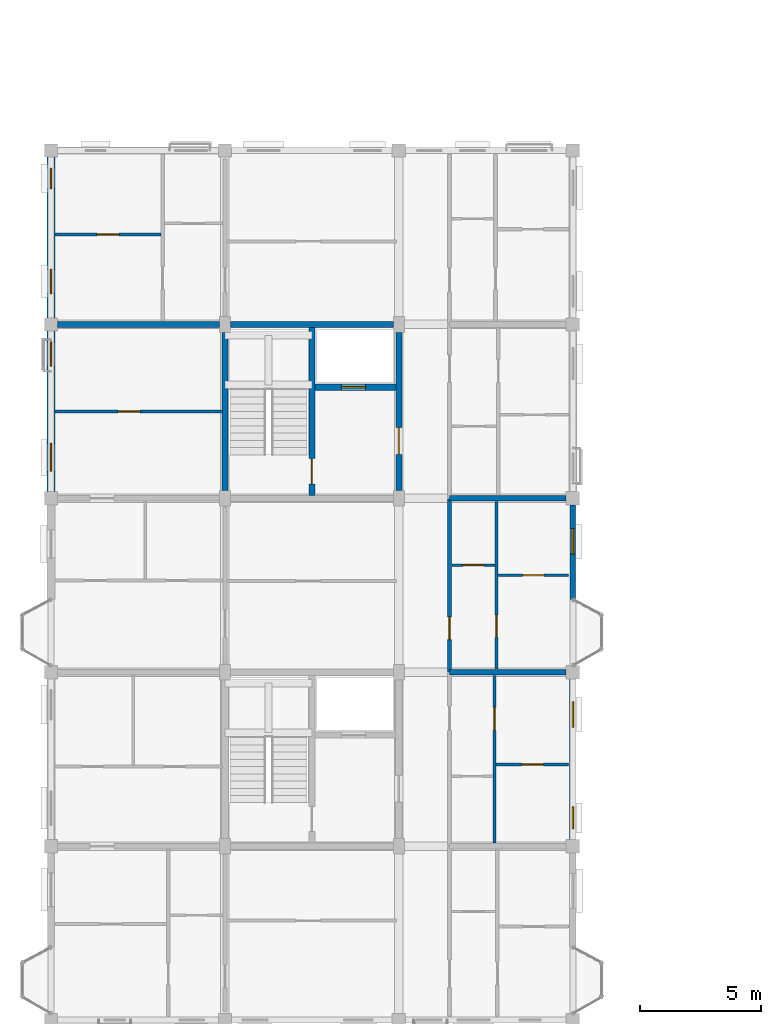
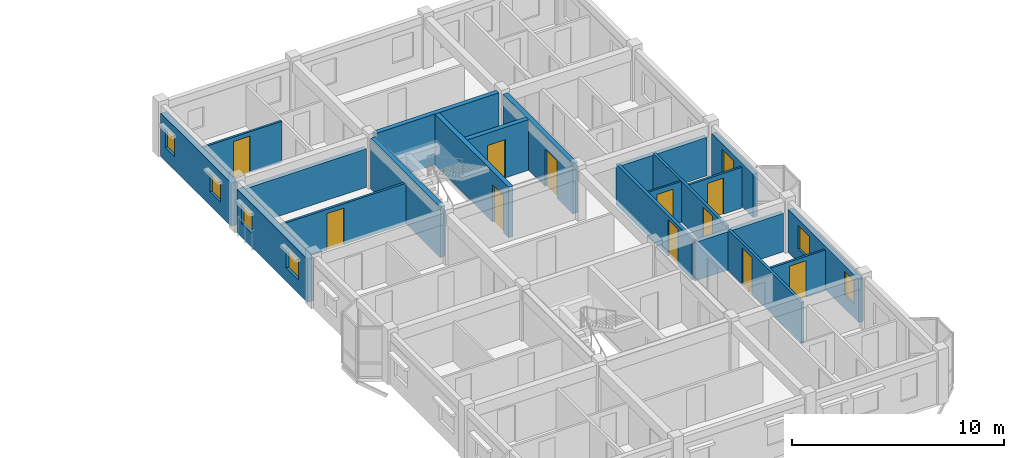
# One storey, part 57 of 79: 20 walls, 11 doors, 7 windows, 18 openings.
"""IFC4 building model written with IfcOpenShell, lengths in metres."""

from ifc_helpers import new_model, si_unit, direction, frame, frame_2d, origin, place, context, subcontext, project, spatial, rectangle, extrude, material, layer, layer_set, type_object, element, fill, save


model = new_model("IFC4")

# Units and contexts
model_context = context("Model", 3, precision=1e-05, world=origin(), true_north=direction((0.0, 1.0)))
body_context = subcontext(model_context, "Body", "Model", "MODEL_VIEW")
ifc_project = project(units=[si_unit("LENGTHUNIT", "METRE"), si_unit("AREAUNIT", "SQUARE_METRE"), si_unit("VOLUMEUNIT", "CUBIC_METRE"), si_unit("PLANEANGLEUNIT", "RADIAN"), si_unit("MASSUNIT", "GRAM", prefix="KILO"), si_unit("THERMODYNAMICTEMPERATUREUNIT", "KELVIN"), si_unit("POWERUNIT", "WATT")], contexts=[model_context])

# Site, building, storey
site_placement = place(None, origin())
site = spatial("IfcSite", under=ifc_project, at=site_placement, CompositionType="ELEMENT")
building_placement = place(site_placement, origin())
building = spatial("IfcBuilding", under=site, at=building_placement, Name="Tavuni Mirador Residences", CompositionType="ELEMENT")
storey_placement = place(building_placement, frame((0.0, 0.0, 13.949951171875)))
storey = spatial("IfcBuildingStorey", under=building, at=storey_placement, Name="L04", CompositionType="ELEMENT", Elevation=13.949951171875)

# Walls
ifc_material_1 = material(Name="Precast concrete C40/50", Category="concrete")
ifc_layer_1 = layer(ifc_material_1, 0.25, Name="Precast concrete C40/50", Category="concrete")
ifc_layer_set_1 = layer_set([ifc_layer_1], Name="Precast concrete C40/50")
wall_type_1 = type_object("IfcWallType", Name="WT-COR250", PredefinedType="SHEAR", material=ifc_layer_set_1)
wall_1_placement = place(storey_placement, frame((10.800048828125, 86.72509765625, 0.0), z_axis=(0.0, 0.0, 1.0), x_axis=(0.0, 1.0, 0.0)))
element("IfcWall", 1, at=wall_1_placement, inside=storey, type_object=wall_type_1, Name="CWALL-C4-L04-W", PredefinedType="SHEAR", context=body_context, shape_type="SweptSolid", body=[
    extrude(rectangle(XDim=6.5498046875, YDim=0.25, at=frame_2d((3.27490234375, 0.0))), origin(), (0.0, 0.0, 1.0), 2.91015625),
])
wall_2_placement = place(storey_placement, frame((11.02490234375, 93.60009765625, 0.0), z_axis=(0.0, 0.0, 1.0), x_axis=(1.0, 0.0, 0.0)))
element("IfcWall", 2, at=wall_2_placement, inside=storey, type_object=wall_type_1, Name="CWALL-C4-L04-N", PredefinedType="SHEAR", context=body_context, shape_type="SweptSolid", body=[
    extrude(rectangle(XDim=6.75, YDim=0.25, at=frame_2d((3.375, 0.0))), origin(), (0.0, 0.0, 1.0), 2.91015625),
])

# Wall, opening, door
wall_3_placement = place(storey_placement, frame((18.0, 86.72509765625, 0.0), z_axis=(0.0, 0.0, 1.0), x_axis=(0.0, 1.0, 0.0)))
wall_3 = element("IfcWall", 3, at=wall_3_placement, inside=storey, type_object=wall_type_1, Name="CWALL-C4-L04-E", PredefinedType="SHEAR", context=body_context, shape_type="SweptSolid", body=[
    extrude(rectangle(XDim=6.5498046875, YDim=0.25, at=frame_2d((3.27490234375, 0.0))), origin(), (0.0, 0.0, 1.0), 2.91015625),
])
opening_1_placement = place(wall_3_placement, frame((1.5, 0.0, 0.0)))
opening_1 = element("IfcOpeningElement", 4, at=opening_1_placement, cuts=wall_3, Name="Opening D-02", PredefinedType="OPENING", context=body_context, shape_type="SweptSolid", body=[
    extrude(rectangle(XDim=1.10009765625, YDim=2.14990234375, at=frame_2d((0.550048828125, 1.074951171875))), frame((0.0, 0.135009765625, 0.0), z_axis=(0.0, -1.0, 0.0), x_axis=(1.0, 0.0, 0.0)), (0.0, 0.0, 1.0), 0.27001953125),
])
ifc_material_2 = material(Name="Solid core iroko timber", Category="wood")
door_type_1 = type_object("IfcDoorType", Name="DT-LOB1100", OperationType="NOTDEFINED", PredefinedType="DOOR", material=ifc_material_2)
door_1_placement = place(opening_1_placement, frame((1.10009765625, 0.0, 0.0), z_axis=(0.0, 0.0, 1.0), x_axis=(-1.0, 0.0, 0.0)))
door_1 = element("IfcDoor", 5, at=door_1_placement, inside=storey, type_object=door_type_1, Name="DR-2156", OperationType="SINGLE_SWING_LEFT", OverallHeight=2.14990234375, OverallWidth=1.10009765625, PredefinedType="DOOR", context=body_context, shape_type="SweptSolid", body=[
    extrude(rectangle(XDim=1.10009765625, YDim=2.14990234375, at=frame_2d((0.550048828125, 1.074951171875))), frame((0.0, 0.02490234375, 0.0), z_axis=(0.0, -1.0, 0.0), x_axis=(1.0, 0.0, 0.0)), (0.0, 0.0, 1.0), 0.050048828125),
])
fill(opening_1, door_1)

wall_4_placement = place(storey_placement, frame((14.39990234375, 86.52490234375, 0.0), z_axis=(0.0, 0.0, 1.0), x_axis=(0.0, 1.0, 0.0)))
wall_4 = element("IfcWall", 6, at=wall_4_placement, inside=storey, type_object=wall_type_1, Name="CWALL-C4-L04-MID", PredefinedType="SHEAR", context=body_context, shape_type="SweptSolid", body=[
    extrude(rectangle(XDim=6.9501953125, YDim=0.25, at=frame_2d((3.47509765625, 0.0))), origin(), (0.0, 0.0, 1.0), 2.91015625),
])
opening_2_placement = place(wall_4_placement, frame((0.47509765625, 0.0, 0.0)))
opening_2 = element("IfcOpeningElement", 7, at=opening_2_placement, cuts=wall_4, Name="Opening D-01", PredefinedType="OPENING", context=body_context, shape_type="SweptSolid", body=[
    extrude(rectangle(XDim=1.050048828125, YDim=2.14990234375, at=frame_2d((0.52490234375, 1.074951171875))), frame((0.0, 0.135009765625, 0.0), z_axis=(0.0, -1.0, 0.0), x_axis=(1.0, 0.0, 0.0)), (0.0, 0.0, 1.0), 0.27001953125),
])
door_type_2 = type_object("IfcDoorType", Name="DT-ST1050", OperationType="NOTDEFINED", PredefinedType="DOOR", material=ifc_material_2)
door_2_placement = place(opening_2_placement, origin())
door_2 = element("IfcDoor", 8, at=door_2_placement, inside=storey, type_object=door_type_2, Name="DR-2157", OperationType="SINGLE_SWING_LEFT", OverallHeight=2.14990234375, OverallWidth=1.050048828125, PredefinedType="DOOR", context=body_context, shape_type="SweptSolid", body=[
    extrude(rectangle(XDim=1.050048828125, YDim=2.14990234375, at=frame_2d((0.52490234375, 1.074951171875))), frame((0.0, 0.02490234375, 0.0), z_axis=(0.0, -1.0, 0.0), x_axis=(1.0, 0.0, 0.0)), (0.0, 0.0, 1.0), 0.050048828125),
])
fill(opening_2, door_2)

wall_5_placement = place(storey_placement, frame((14.52490234375, 91.0, 0.0), z_axis=(0.0, 0.0, 1.0), x_axis=(1.0, 0.0, 0.0)))
wall_5 = element("IfcWall", 9, at=wall_5_placement, inside=storey, type_object=wall_type_1, Name="CWALL-C4-L04-SHF", PredefinedType="SHEAR", context=body_context, shape_type="SweptSolid", body=[
    extrude(rectangle(XDim=3.35009765625, YDim=0.25, at=frame_2d((1.675048828125, 0.0))), origin(), (0.0, 0.0, 1.0), 2.91015625),
])
opening_3_placement = place(wall_5_placement, frame((1.10009765625, 0.0, 0.0)))
opening_3 = element("IfcOpeningElement", 10, at=opening_3_placement, cuts=wall_5, Name="Opening LD-02", PredefinedType="OPENING", context=body_context, shape_type="SweptSolid", body=[
    extrude(rectangle(XDim=1.0, YDim=2.199951171875, at=frame_2d((0.5, 1.10009765625))), frame((0.0, 0.135009765625, 0.0), z_axis=(0.0, -1.0, 0.0), x_axis=(1.0, 0.0, 0.0)), (0.0, 0.0, 1.0), 0.27001953125),
])
ifc_material_3 = material(Name="Structural steel S355", Category="steel")
door_type_3 = type_object("IfcDoorType", Name="DT-LD-PAX", OperationType="SLIDING_TO_LEFT", PredefinedType="DOOR", material=ifc_material_3)
door_3_placement = place(opening_3_placement, origin())
door_3 = element("IfcDoor", 11, at=door_3_placement, inside=storey, type_object=door_type_3, Name="Lift landing door PL-B2 L04", OperationType="SLIDING_TO_LEFT", OverallHeight=2.199951171875, OverallWidth=1.0, PredefinedType="DOOR", context=body_context, shape_type="SweptSolid", body=[
    extrude(rectangle(XDim=1.0, YDim=2.199951171875, at=frame_2d((0.5, 1.10009765625))), frame((0.0, 0.02490234375, 0.0), z_axis=(0.0, -1.0, 0.0), x_axis=(1.0, 0.0, 0.0)), (0.0, 0.0, 1.0), 0.050048828125),
])
fill(opening_3, door_3)

ifc_layer_2 = layer(ifc_material_1, 0.1650390625, Name="Precast concrete C40/50", Category="concrete")
ifc_layer_set_2 = layer_set([ifc_layer_2], Name="Precast concrete C40/50")
wall_type_2 = type_object("IfcWallType", Name="WT-CORR165", PredefinedType="PARTITIONING", material=ifc_layer_set_2)
wall_6_placement = place(storey_placement, frame((20.10009765625, 79.219970703125, 0.0), z_axis=(0.0, 0.0, 1.0), x_axis=(0.0, 1.0, 0.0)))
wall_6 = element("IfcWall", 12, at=wall_6_placement, inside=storey, type_object=wall_type_2, Name="CORW-BLK-B-L04-0-02", PredefinedType="PARTITIONING", context=body_context, shape_type="SweptSolid", body=[
    extrude(rectangle(XDim=7.159912109375, YDim=0.1650390625, at=frame_2d((3.580078125, 0.0))), origin(), (0.0, 0.0, 1.0), 2.344970703125),
])
opening_4_placement = place(wall_6_placement, frame((1.330078125, 0.0, 0.0)))
opening_4 = element("IfcOpeningElement", 13, at=opening_4_placement, cuts=wall_6, Name="Opening D-19", PredefinedType="OPENING", context=body_context, shape_type="SweptSolid", body=[
    extrude(rectangle(XDim=0.93994140625, YDim=2.1201171875, at=frame_2d((0.469970703125, 1.06005859375))), frame((0.0, 0.092529296875, 0.0), z_axis=(0.0, -1.0, 0.0), x_axis=(1.0, 0.0, 0.0)), (0.0, 0.0, 1.0), 0.18505859375),
])
door_type_4 = type_object("IfcDoorType", Name="DT-FD60-940", OperationType="NOTDEFINED", PredefinedType="DOOR", material=ifc_material_2)
door_4_placement = place(opening_4_placement, origin())
door_4 = element("IfcDoor", 14, at=door_4_placement, inside=storey, type_object=door_type_4, Name="DR-2563", OperationType="SINGLE_SWING_RIGHT", OverallHeight=2.1201171875, OverallWidth=0.93994140625, PredefinedType="DOOR", context=body_context, shape_type="SweptSolid", body=[
    extrude(rectangle(XDim=0.93994140625, YDim=2.1201171875, at=frame_2d((0.469970703125, 1.06005859375))), frame((0.0, 0.02490234375, 0.0), z_axis=(0.0, -1.0, 0.0), x_axis=(1.0, 0.0, 0.0)), (0.0, 0.0, 1.0), 0.050048828125),
])
fill(opening_4, door_4)

# Wall, opening, window
ifc_material_4 = material(Name="Sgraffito lime-rendered precast concrete C40/50", Category="concrete")
ifc_layer_3 = layer(ifc_material_4, 0.2451171875, Name="Sgraffito lime-rendered precast concrete C40/50", Category="concrete")
ifc_layer_set_3 = layer_set([ifc_layer_3], Name="Sgraffito lime-rendered precast concrete C40/50")
wall_type_3 = type_object("IfcWallType", Name="WT-EXT-PC245", PredefinedType="SOLIDWALL", material=ifc_layer_set_3)
wall_7_placement = place(storey_placement, frame((25.199951171875, 82.219970703125, 0.0), z_axis=(0.0, 0.0, 1.0), x_axis=(0.0, 1.0, 0.0)))
wall_7 = element("IfcWall", 15, at=wall_7_placement, inside=storey, type_object=wall_type_3, Name="EW-BLK-B-L04-E02", PredefinedType="SOLIDWALL", context=body_context, shape_type="SweptSolid", body=[
    extrude(rectangle(XDim=3.905029296875, YDim=0.2451171875, at=frame_2d((1.95263671875, 0.0))), origin(), (0.0, 0.0, 1.0), 2.47998046875),
])
opening_5_placement = place(wall_7_placement, frame((1.867431640625, 0.0, 0.780029296875)))
opening_5 = element("IfcOpeningElement", 16, at=opening_5_placement, cuts=wall_7, Name="Opening WN-19", PredefinedType="OPENING", context=body_context, shape_type="SweptSolid", body=[
    extrude(rectangle(XDim=1.06005859375, YDim=1.360107421875, at=frame_2d((0.530029296875, 0.68017578125))), frame((0.0, 0.132568359375, 0.0), z_axis=(0.0, -1.0, 0.0), x_axis=(1.0, 0.0, 0.0)), (0.0, 0.0, 1.0), 0.26513671875),
])
ifc_material_5 = material(Name="Laminated solar-control glass", Category="glass")
window_type_1 = type_object("IfcWindowType", Name="WNT-19", PartitioningType="SINGLE_PANEL", PredefinedType="WINDOW", material=ifc_material_5)
window_1_placement = place(opening_5_placement, origin())
window_1 = element("IfcWindow", 17, at=window_1_placement, inside=storey, type_object=window_type_1, Name="WIN-0674", OverallHeight=1.360107421875, OverallWidth=1.06005859375, PartitioningType="SINGLE_PANEL", PredefinedType="WINDOW", context=body_context, shape_type="SweptSolid", body=[
    extrude(rectangle(XDim=1.06005859375, YDim=1.360107421875, at=frame_2d((0.530029296875, 0.68017578125))), frame((0.0, 0.030029296875, 0.0), z_axis=(0.0, -1.0, 0.0), x_axis=(1.0, 0.0, 0.0)), (0.0, 0.0, 1.0), 0.06005859375),
])
fill(opening_5, window_1)

# Wall, openings, windows
ifc_layer_4 = layer(ifc_material_4, 0.2548828125, Name="Sgraffito lime-rendered precast concrete C40/50", Category="concrete")
ifc_layer_set_4 = layer_set([ifc_layer_4], Name="Sgraffito lime-rendered precast concrete C40/50")
wall_type_4 = type_object("IfcWallType", Name="WT-EXT-PC255", PredefinedType="SOLIDWALL", material=ifc_layer_set_4)
wall_8_placement = place(storey_placement, frame((25.199951171875, 72.27490234375, 0.0), z_axis=(0.0, 0.0, 1.0), x_axis=(0.0, 1.0, 0.0)))
wall_8 = element("IfcWall", 18, at=wall_8_placement, inside=storey, type_object=wall_type_4, Name="EW-BLK-B-L04-E01", PredefinedType="SOLIDWALL", context=body_context, shape_type="SweptSolid", body=[
    extrude(rectangle(XDim=6.650146484375, YDim=0.2548828125, at=frame_2d((3.3251953125, 0.0))), origin(), (0.0, 0.0, 1.0), 2.47998046875),
])
opening_6_placement = place(wall_8_placement, frame((0.449951171875, 0.0, 0.780029296875)))
opening_6 = element("IfcOpeningElement", 19, at=opening_6_placement, cuts=wall_8, Name="Opening WN-17", PredefinedType="OPENING", context=body_context, shape_type="SweptSolid", body=[
    extrude(rectangle(XDim=0.89990234375, YDim=1.360107421875, at=frame_2d((0.449951171875, 0.68017578125))), frame((0.0, 0.137451171875, 0.0), z_axis=(0.0, -1.0, 0.0), x_axis=(1.0, 0.0, 0.0)), (0.0, 0.0, 1.0), 0.27490234375),
])
opening_7_placement = place(wall_8_placement, frame((4.64990234375, 0.0, 0.780029296875)))
opening_7 = element("IfcOpeningElement", 20, at=opening_7_placement, cuts=wall_8, Name="Opening WN-19", PredefinedType="OPENING", context=body_context, shape_type="SweptSolid", body=[
    extrude(rectangle(XDim=1.06005859375, YDim=1.360107421875, at=frame_2d((0.530029296875, 0.68017578125))), frame((0.0, 0.137451171875, 0.0), z_axis=(0.0, -1.0, 0.0), x_axis=(1.0, 0.0, 0.0)), (0.0, 0.0, 1.0), 0.27490234375),
])
window_type_2 = type_object("IfcWindowType", Name="WNT-17", PartitioningType="SINGLE_PANEL", PredefinedType="WINDOW", material=ifc_material_5)
window_2_placement = place(opening_6_placement, origin())
window_2 = element("IfcWindow", 21, at=window_2_placement, inside=storey, type_object=window_type_2, Name="WIN-0672", OverallHeight=1.360107421875, OverallWidth=0.89990234375, PartitioningType="SINGLE_PANEL", PredefinedType="WINDOW", context=body_context, shape_type="SweptSolid", body=[
    extrude(rectangle(XDim=0.89990234375, YDim=1.360107421875, at=frame_2d((0.449951171875, 0.68017578125))), frame((0.0, 0.030029296875, 0.0), z_axis=(0.0, -1.0, 0.0), x_axis=(1.0, 0.0, 0.0)), (0.0, 0.0, 1.0), 0.06005859375),
])
fill(opening_6, window_2)
window_3_placement = place(opening_7_placement, origin())
window_3 = element("IfcWindow", 22, at=window_3_placement, inside=storey, type_object=window_type_1, Name="WIN-0673", OverallHeight=1.360107421875, OverallWidth=1.06005859375, PartitioningType="SINGLE_PANEL", PredefinedType="WINDOW", context=body_context, shape_type="SweptSolid", body=[
    extrude(rectangle(XDim=1.06005859375, YDim=1.360107421875, at=frame_2d((0.530029296875, 0.68017578125))), frame((0.0, 0.030029296875, 0.0), z_axis=(0.0, -1.0, 0.0), x_axis=(1.0, 0.0, 0.0)), (0.0, 0.0, 1.0), 0.06005859375),
])
fill(opening_7, window_3)

ifc_layer_5 = layer(ifc_material_4, 0.31494140625, Name="Sgraffito lime-rendered precast concrete C40/50", Category="concrete")
ifc_layer_set_5 = layer_set([ifc_layer_5], Name="Sgraffito lime-rendered precast concrete C40/50")
wall_type_5 = type_object("IfcWallType", Name="WT-EXT-PC315", PredefinedType="SOLIDWALL", material=ifc_layer_set_5)
wall_9_placement = place(storey_placement, frame((3.60009765625, 100.52490234375, 0.0), z_axis=(0.0, 0.0, 1.0), x_axis=(0.0, -1.0, 0.0)))
wall_9 = element("IfcWall", 23, at=wall_9_placement, inside=storey, type_object=wall_type_5, Name="EW-BLK-B-L04-W04", PredefinedType="SOLIDWALL", context=body_context, shape_type="SweptSolid", body=[
    extrude(rectangle(XDim=6.64990234375, YDim=0.31494140625, at=frame_2d((3.324951171875, 0.0))), origin(), (0.0, 0.0, 1.0), 2.47998046875),
])
opening_8_placement = place(wall_9_placement, frame((0.449951171875, 0.0, 0.780029296875)))
opening_8 = element("IfcOpeningElement", 24, at=opening_8_placement, cuts=wall_9, Name="Opening WN-01", PredefinedType="OPENING", context=body_context, shape_type="SweptSolid", body=[
    extrude(rectangle(XDim=0.85009765625, YDim=1.14990234375, at=frame_2d((0.425048828125, 0.574951171875))), frame((0.0, 0.16748046875, 0.0), z_axis=(0.0, -1.0, 0.0), x_axis=(1.0, 0.0, 0.0)), (0.0, 0.0, 1.0), 0.3349609375),
])
opening_9_placement = place(wall_9_placement, frame((4.64990234375, 0.0, 0.780029296875)))
opening_9 = element("IfcOpeningElement", 25, at=opening_9_placement, cuts=wall_9, Name="Opening WN-03", PredefinedType="OPENING", context=body_context, shape_type="SweptSolid", body=[
    extrude(rectangle(XDim=1.0, YDim=1.14990234375, at=frame_2d((0.5, 0.574951171875))), frame((0.0, 0.16748046875, 0.0), z_axis=(0.0, -1.0, 0.0), x_axis=(1.0, 0.0, 0.0)), (0.0, 0.0, 1.0), 0.3349609375),
])
window_type_3 = type_object("IfcWindowType", Name="WNT-01", PartitioningType="SINGLE_PANEL", PredefinedType="WINDOW", material=ifc_material_5)
window_4_placement = place(opening_8_placement, origin())
window_4 = element("IfcWindow", 26, at=window_4_placement, inside=storey, type_object=window_type_3, Name="WIN-0686", OverallHeight=1.14990234375, OverallWidth=0.85009765625, PartitioningType="SINGLE_PANEL", PredefinedType="WINDOW", context=body_context, shape_type="SweptSolid", body=[
    extrude(rectangle(XDim=0.85009765625, YDim=1.14990234375, at=frame_2d((0.425048828125, 0.574951171875))), frame((0.0, 0.030029296875, 0.0), z_axis=(0.0, -1.0, 0.0), x_axis=(1.0, 0.0, 0.0)), (0.0, 0.0, 1.0), 0.06005859375),
])
fill(opening_8, window_4)
window_type_4 = type_object("IfcWindowType", Name="WNT-03", PartitioningType="SINGLE_PANEL", PredefinedType="WINDOW", material=ifc_material_5)
window_5_placement = place(opening_9_placement, origin())
window_5 = element("IfcWindow", 27, at=window_5_placement, inside=storey, type_object=window_type_4, Name="WIN-0687", OverallHeight=1.14990234375, OverallWidth=1.0, PartitioningType="SINGLE_PANEL", PredefinedType="WINDOW", context=body_context, shape_type="SweptSolid", body=[
    extrude(rectangle(XDim=1.0, YDim=1.14990234375, at=frame_2d((0.5, 0.574951171875))), frame((0.0, 0.030029296875, 0.0), z_axis=(0.0, -1.0, 0.0), x_axis=(1.0, 0.0, 0.0)), (0.0, 0.0, 1.0), 0.06005859375),
])
fill(opening_9, window_5)

ifc_layer_6 = layer(ifc_material_4, 0.344970703125, Name="Sgraffito lime-rendered precast concrete C40/50", Category="concrete")
ifc_layer_set_6 = layer_set([ifc_layer_6], Name="Sgraffito lime-rendered precast concrete C40/50")
wall_type_6 = type_object("IfcWallType", Name="WT-EXT-PTY345", PredefinedType="SOLIDWALL", material=ifc_layer_set_6)
wall_10_placement = place(storey_placement, frame((3.60009765625, 93.324951171875, 0.0), z_axis=(0.0, 0.0, 1.0), x_axis=(0.0, -1.0, 0.0)))
wall_10 = element("IfcWall", 28, at=wall_10_placement, inside=storey, type_object=wall_type_6, Name="EW-BLK-B-L04-W03", PredefinedType="SOLIDWALL", context=body_context, shape_type="SweptSolid", body=[
    extrude(rectangle(XDim=6.64990234375, YDim=0.344970703125, at=frame_2d((3.324951171875, 0.0))), origin(), (0.0, 0.0, 1.0), 2.47998046875),
])
opening_10_placement = place(wall_10_placement, frame((0.449951171875, 0.0, 0.780029296875)))
opening_10 = element("IfcOpeningElement", 29, at=opening_10_placement, cuts=wall_10, Name="Opening WN-03", PredefinedType="OPENING", context=body_context, shape_type="SweptSolid", body=[
    extrude(rectangle(XDim=1.0, YDim=1.14990234375, at=frame_2d((0.5, 0.574951171875))), frame((0.0, 0.1826171875, 0.0), z_axis=(0.0, -1.0, 0.0), x_axis=(1.0, 0.0, 0.0)), (0.0, 0.0, 1.0), 0.364990234375),
])
opening_11_placement = place(wall_10_placement, frame((4.64990234375, 0.0, 0.780029296875)))
opening_11 = element("IfcOpeningElement", 30, at=opening_11_placement, cuts=wall_10, Name="Opening WN-05", PredefinedType="OPENING", context=body_context, shape_type="SweptSolid", body=[
    extrude(rectangle(XDim=1.159912109375, YDim=1.14990234375, at=frame_2d((0.580078125, 0.574951171875))), frame((0.0, 0.1826171875, 0.0), z_axis=(0.0, -1.0, 0.0), x_axis=(1.0, 0.0, 0.0)), (0.0, 0.0, 1.0), 0.364990234375),
])
window_6_placement = place(opening_10_placement, origin())
window_6 = element("IfcWindow", 31, at=window_6_placement, inside=storey, type_object=window_type_4, Name="WIN-0688", OverallHeight=1.14990234375, OverallWidth=1.0, PartitioningType="SINGLE_PANEL", PredefinedType="WINDOW", context=body_context, shape_type="SweptSolid", body=[
    extrude(rectangle(XDim=1.0, YDim=1.14990234375, at=frame_2d((0.5, 0.574951171875))), frame((0.0, 0.030029296875, 0.0), z_axis=(0.0, -1.0, 0.0), x_axis=(1.0, 0.0, 0.0)), (0.0, 0.0, 1.0), 0.06005859375),
])
fill(opening_10, window_6)
window_type_5 = type_object("IfcWindowType", Name="WNT-05", PartitioningType="SINGLE_PANEL", PredefinedType="WINDOW", material=ifc_material_5)
window_7_placement = place(opening_11_placement, origin())
window_7 = element("IfcWindow", 32, at=window_7_placement, inside=storey, type_object=window_type_5, Name="WIN-0689", OverallHeight=1.14990234375, OverallWidth=1.159912109375, PartitioningType="SINGLE_PANEL", PredefinedType="WINDOW", context=body_context, shape_type="SweptSolid", body=[
    extrude(rectangle(XDim=1.159912109375, YDim=1.14990234375, at=frame_2d((0.580078125, 0.574951171875))), frame((0.0, 0.030029296875, 0.0), z_axis=(0.0, -1.0, 0.0), x_axis=(1.0, 0.0, 0.0)), (0.0, 0.0, 1.0), 0.06005859375),
])
fill(opening_11, window_7)

# Wall, opening, door
ifc_material_6 = material(Name="Acoustic gypsum and concrete block partition", Category="concrete")
ifc_layer_7 = layer(ifc_material_6, 0.10498046875, Name="Acoustic gypsum and concrete block partition", Category="concrete")
ifc_layer_set_7 = layer_set([ifc_layer_7], Name="Acoustic gypsum and concrete block partition")
wall_type_7 = type_object("IfcWallType", Name="WT-PART105", PredefinedType="PARTITIONING", material=ifc_layer_set_7)
wall_11_placement = place(storey_placement, frame((20.18994140625, 83.639892578125, 0.0), z_axis=(0.0, 0.0, 1.0), x_axis=(1.0, 0.0, 0.0)))
wall_11 = element("IfcWall", 33, at=wall_11_placement, inside=storey, type_object=wall_type_7, Name="PW-BLK-B-L04-E02-IN1", PredefinedType="PARTITIONING", context=body_context, shape_type="SweptSolid", body=[
    extrude(rectangle(XDim=1.780029296875, YDim=0.10498046875, at=frame_2d((0.89013671875, 0.0))), origin(), (0.0, 0.0, 1.0), 2.344970703125),
])
opening_12_placement = place(wall_11_placement, frame((0.455078125, 0.0, 0.0)))
opening_12 = element("IfcOpeningElement", 34, at=opening_12_placement, cuts=wall_11, Name="Opening D-10", PredefinedType="OPENING", context=body_context, shape_type="SweptSolid", body=[
    extrude(rectangle(XDim=0.8701171875, YDim=2.050048828125, at=frame_2d((0.43505859375, 1.02490234375))), frame((0.0, 0.0625, 0.0), z_axis=(0.0, -1.0, 0.0), x_axis=(1.0, 0.0, 0.0)), (0.0, 0.0, 1.0), 0.125),
])
door_type_5 = type_object("IfcDoorType", Name="DT-WC870", OperationType="NOTDEFINED", PredefinedType="DOOR", material=ifc_material_2)
door_5_placement = place(opening_12_placement, origin())
door_5 = element("IfcDoor", 35, at=door_5_placement, inside=storey, type_object=door_type_5, Name="DR-3543", OperationType="SINGLE_SWING_LEFT", OverallHeight=2.050048828125, OverallWidth=0.8701171875, PredefinedType="DOOR", context=body_context, shape_type="SweptSolid", body=[
    extrude(rectangle(XDim=0.8701171875, YDim=2.050048828125, at=frame_2d((0.43505859375, 1.02490234375))), frame((0.0, 0.02490234375, 0.0), z_axis=(0.0, -1.0, 0.0), x_axis=(1.0, 0.0, 0.0)), (0.0, 0.0, 1.0), 0.050048828125),
])
fill(opening_12, door_5)

ifc_layer_8 = layer(ifc_material_6, 0.114990234375, Name="Acoustic gypsum and concrete block partition", Category="concrete")
ifc_layer_set_8 = layer_set([ifc_layer_8], Name="Acoustic gypsum and concrete block partition")
wall_type_8 = type_object("IfcWallType", Name="WT-PART115", PredefinedType="PARTITIONING", material=ifc_layer_set_8)
wall_12_placement = place(storey_placement, frame((22.030029296875, 75.3798828125, 0.0), z_axis=(0.0, 0.0, 1.0), x_axis=(1.0, 0.0, 0.0)))
wall_12 = element("IfcWall", 36, at=wall_12_placement, inside=storey, type_object=wall_type_8, Name="PW-BLK-B-L04-E01-OUT", PredefinedType="PARTITIONING", context=body_context, shape_type="SweptSolid", body=[
    extrude(rectangle(XDim=2.994873046875, YDim=0.114990234375, at=frame_2d((1.49755859375, 0.0))), origin(), (0.0, 0.0, 1.0), 2.344970703125),
])
opening_13_placement = place(wall_12_placement, frame((1.047607421875, 0.0, 0.0)))
opening_13 = element("IfcOpeningElement", 37, at=opening_13_placement, cuts=wall_12, Name="Opening D-07", PredefinedType="OPENING", context=body_context, shape_type="SweptSolid", body=[
    extrude(rectangle(XDim=0.89990234375, YDim=2.10009765625, at=frame_2d((0.449951171875, 1.050048828125))), frame((0.0, 0.0673828125, 0.0), z_axis=(0.0, -1.0, 0.0), x_axis=(1.0, 0.0, 0.0)), (0.0, 0.0, 1.0), 0.135009765625),
])
door_type_6 = type_object("IfcDoorType", Name="DT-BED900", OperationType="NOTDEFINED", PredefinedType="DOOR", material=ifc_material_2)
door_6_placement = place(opening_13_placement, origin())
door_6 = element("IfcDoor", 38, at=door_6_placement, inside=storey, type_object=door_type_6, Name="DR-3536", OperationType="SINGLE_SWING_LEFT", OverallHeight=2.10009765625, OverallWidth=0.89990234375, PredefinedType="DOOR", context=body_context, shape_type="SweptSolid", body=[
    extrude(rectangle(XDim=0.89990234375, YDim=2.10009765625, at=frame_2d((0.449951171875, 1.050048828125))), frame((0.0, 0.02490234375, 0.0), z_axis=(0.0, -1.0, 0.0), x_axis=(1.0, 0.0, 0.0)), (0.0, 0.0, 1.0), 0.050048828125),
])
fill(opening_13, door_6)

wall_13_placement = place(storey_placement, frame((22.110107421875, 83.219970703125, 0.0), z_axis=(0.0, 0.0, 1.0), x_axis=(1.0, 0.0, 0.0)))
wall_13 = element("IfcWall", 39, at=wall_13_placement, inside=storey, type_object=wall_type_8, Name="PW-BLK-B-L04-E02-OUT", PredefinedType="PARTITIONING", context=body_context, shape_type="SweptSolid", body=[
    extrude(rectangle(XDim=2.914794921875, YDim=0.114990234375, at=frame_2d((1.45751953125, 0.0))), origin(), (0.0, 0.0, 1.0), 2.344970703125),
])
opening_14_placement = place(wall_13_placement, frame((1.017578125, 0.0, 0.0)))
opening_14 = element("IfcOpeningElement", 40, at=opening_14_placement, cuts=wall_13, Name="Opening D-08", PredefinedType="OPENING", context=body_context, shape_type="SweptSolid", body=[
    extrude(rectangle(XDim=0.8798828125, YDim=2.080078125, at=frame_2d((0.43994140625, 1.0400390625))), frame((0.0, 0.0673828125, 0.0), z_axis=(0.0, -1.0, 0.0), x_axis=(1.0, 0.0, 0.0)), (0.0, 0.0, 1.0), 0.135009765625),
])
door_type_7 = type_object("IfcDoorType", Name="DT-BED880", OperationType="NOTDEFINED", PredefinedType="DOOR", material=ifc_material_2)
door_7_placement = place(opening_14_placement, origin())
door_7 = element("IfcDoor", 41, at=door_7_placement, inside=storey, type_object=door_type_7, Name="DR-3542", OperationType="SINGLE_SWING_RIGHT", OverallHeight=2.080078125, OverallWidth=0.8798828125, PredefinedType="DOOR", context=body_context, shape_type="SweptSolid", body=[
    extrude(rectangle(XDim=0.8798828125, YDim=2.080078125, at=frame_2d((0.43994140625, 1.0400390625))), frame((0.0, 0.02490234375, 0.0), z_axis=(0.0, -1.0, 0.0), x_axis=(1.0, 0.0, 0.0)), (0.0, 0.0, 1.0), 0.050048828125),
])
fill(opening_14, door_7)

wall_14_placement = place(storey_placement, frame((3.77490234375, 97.320068359375, 0.0), z_axis=(0.0, 0.0, 1.0), x_axis=(1.0, 0.0, 0.0)))
wall_14 = element("IfcWall", 42, at=wall_14_placement, inside=storey, type_object=wall_type_8, Name="PW-BLK-B-L04-W04-OUT", PredefinedType="PARTITIONING", context=body_context, shape_type="SweptSolid", body=[
    extrude(rectangle(XDim=4.375, YDim=0.114990234375, at=frame_2d((2.1875, 0.0))), origin(), (0.0, 0.0, 1.0), 2.344970703125),
])
opening_15_placement = place(wall_14_placement, frame((1.737548828125, 0.0, 0.0)))
opening_15 = element("IfcOpeningElement", 43, at=opening_15_placement, cuts=wall_14, Name="Opening D-07", PredefinedType="OPENING", context=body_context, shape_type="SweptSolid", body=[
    extrude(rectangle(XDim=0.89990234375, YDim=2.10009765625, at=frame_2d((0.449951171875, 1.050048828125))), frame((0.0, 0.0673828125, 0.0), z_axis=(0.0, -1.0, 0.0), x_axis=(1.0, 0.0, 0.0)), (0.0, 0.0, 1.0), 0.135009765625),
])
door_8_placement = place(opening_15_placement, origin())
door_8 = element("IfcDoor", 44, at=door_8_placement, inside=storey, type_object=door_type_6, Name="DR-3550", OperationType="SINGLE_SWING_LEFT", OverallHeight=2.10009765625, OverallWidth=0.89990234375, PredefinedType="DOOR", context=body_context, shape_type="SweptSolid", body=[
    extrude(rectangle(XDim=0.89990234375, YDim=2.10009765625, at=frame_2d((0.449951171875, 1.050048828125))), frame((0.0, 0.02490234375, 0.0), z_axis=(0.0, -1.0, 0.0), x_axis=(1.0, 0.0, 0.0)), (0.0, 0.0, 1.0), 0.050048828125),
])
fill(opening_15, door_8)

ifc_layer_9 = layer(ifc_material_6, 0.125, Name="Acoustic gypsum and concrete block partition", Category="concrete")
ifc_layer_set_9 = layer_set([ifc_layer_9], Name="Acoustic gypsum and concrete block partition")
wall_type_9 = type_object("IfcWallType", Name="WT-PART125", PredefinedType="PARTITIONING", material=ifc_layer_set_9)
wall_15_placement = place(storey_placement, frame((3.77490234375, 90.0, 0.0), z_axis=(0.0, 0.0, 1.0), x_axis=(1.0, 0.0, 0.0)))
wall_15 = element("IfcWall", 45, at=wall_15_placement, inside=storey, type_object=wall_type_9, Name="PW-BLK-B-L04-PF03-H", PredefinedType="PARTITIONING", context=body_context, shape_type="SweptSolid", body=[
    extrude(rectangle(XDim=6.93505859375, YDim=0.125, at=frame_2d((3.467529296875, 0.0))), origin(), (0.0, 0.0, 1.0), 2.344970703125),
])
opening_16_placement = place(wall_15_placement, frame((2.60009765625, 0.0, 0.0)))
opening_16 = element("IfcOpeningElement", 46, at=opening_16_placement, cuts=wall_15, Name="Opening D-06", PredefinedType="OPENING", context=body_context, shape_type="SweptSolid", body=[
    extrude(rectangle(XDim=0.919921875, YDim=2.10009765625, at=frame_2d((0.4599609375, 1.050048828125))), frame((0.0, 0.072509765625, 0.0), z_axis=(0.0, -1.0, 0.0), x_axis=(1.0, 0.0, 0.0)), (0.0, 0.0, 1.0), 0.14501953125),
])
door_type_8 = type_object("IfcDoorType", Name="DT-INT920", OperationType="NOTDEFINED", PredefinedType="DOOR", material=ifc_material_2)
door_9_placement = place(opening_16_placement, origin())
door_9 = element("IfcDoor", 47, at=door_9_placement, inside=storey, type_object=door_type_8, Name="DR-3545", OperationType="SINGLE_SWING_RIGHT", OverallHeight=2.10009765625, OverallWidth=0.919921875, PredefinedType="DOOR", context=body_context, shape_type="SweptSolid", body=[
    extrude(rectangle(XDim=0.919921875, YDim=2.10009765625, at=frame_2d((0.4599609375, 1.050048828125))), frame((0.0, 0.02490234375, 0.0), z_axis=(0.0, -1.0, 0.0), x_axis=(1.0, 0.0, 0.0)), (0.0, 0.0, 1.0), 0.050048828125),
])
fill(opening_16, door_9)

ifc_layer_10 = layer(ifc_material_6, 0.139892578125, Name="Acoustic gypsum and concrete block partition", Category="concrete")
ifc_layer_set_10 = layer_set([ifc_layer_10], Name="Acoustic gypsum and concrete block partition")
wall_type_10 = type_object("IfcWallType", Name="WT-PART140", PredefinedType="PARTITIONING", material=ifc_layer_set_10)
wall_16_placement = place(storey_placement, frame((21.9599609375, 72.139892578125, 0.0), z_axis=(0.0, 0.0, 1.0), x_axis=(0.0, 1.0, 0.0)))
wall_16 = element("IfcWall", 48, at=wall_16_placement, inside=storey, type_object=wall_type_10, Name="PW-BLK-B-L04-E01-MID", PredefinedType="PARTITIONING", context=body_context, shape_type="SweptSolid", body=[
    extrude(rectangle(XDim=6.920166015625, YDim=0.139892578125, at=frame_2d((3.4599609375, 0.0))), origin(), (0.0, 0.0, 1.0), 2.344970703125),
])
opening_17_placement = place(wall_16_placement, frame((4.659912109375, 0.0, 0.0)))
opening_17 = element("IfcOpeningElement", 49, at=opening_17_placement, cuts=wall_16, Name="Opening D-05", PredefinedType="OPENING", context=body_context, shape_type="SweptSolid", body=[
    extrude(rectangle(XDim=0.949951171875, YDim=2.10009765625, at=frame_2d((0.47509765625, 1.050048828125))), frame((0.0, 0.080078125, 0.0), z_axis=(0.0, -1.0, 0.0), x_axis=(1.0, 0.0, 0.0)), (0.0, 0.0, 1.0), 0.159912109375),
])
door_type_9 = type_object("IfcDoorType", Name="DT-INT950", OperationType="NOTDEFINED", PredefinedType="DOOR", material=ifc_material_2)
door_10_placement = place(opening_17_placement, origin())
door_10 = element("IfcDoor", 50, at=door_10_placement, inside=storey, type_object=door_type_9, Name="DR-3538", OperationType="SINGLE_SWING_LEFT", OverallHeight=2.10009765625, OverallWidth=0.949951171875, PredefinedType="DOOR", context=body_context, shape_type="SweptSolid", body=[
    extrude(rectangle(XDim=0.949951171875, YDim=2.10009765625, at=frame_2d((0.47509765625, 1.050048828125))), frame((0.0, 0.02490234375, 0.0), z_axis=(0.0, -1.0, 0.0), x_axis=(1.0, 0.0, 0.0)), (0.0, 0.0, 1.0), 0.050048828125),
])
fill(opening_17, door_10)

wall_17_placement = place(storey_placement, frame((22.0400390625, 79.340087890625, 0.0), z_axis=(0.0, 0.0, 1.0), x_axis=(0.0, 1.0, 0.0)))
wall_17 = element("IfcWall", 51, at=wall_17_placement, inside=storey, type_object=wall_type_10, Name="PW-BLK-B-L04-E02-MID", PredefinedType="PARTITIONING", context=body_context, shape_type="SweptSolid", body=[
    extrude(rectangle(XDim=6.919921875, YDim=0.139892578125, at=frame_2d((3.4599609375, 0.0))), origin(), (0.0, 0.0, 1.0), 2.344970703125),
])
opening_18_placement = place(wall_17_placement, frame((1.31005859375, 0.0, 0.0)))
opening_18 = element("IfcOpeningElement", 52, at=opening_18_placement, cuts=wall_17, Name="Opening D-06", PredefinedType="OPENING", context=body_context, shape_type="SweptSolid", body=[
    extrude(rectangle(XDim=0.919921875, YDim=2.10009765625, at=frame_2d((0.4599609375, 1.050048828125))), frame((0.0, 0.080078125, 0.0), z_axis=(0.0, -1.0, 0.0), x_axis=(1.0, 0.0, 0.0)), (0.0, 0.0, 1.0), 0.159912109375),
])
door_11_placement = place(opening_18_placement, origin())
door_11 = element("IfcDoor", 53, at=door_11_placement, inside=storey, type_object=door_type_8, Name="DR-3544", OperationType="SINGLE_SWING_RIGHT", OverallHeight=2.10009765625, OverallWidth=0.919921875, PredefinedType="DOOR", context=body_context, shape_type="SweptSolid", body=[
    extrude(rectangle(XDim=0.919921875, YDim=2.10009765625, at=frame_2d((0.4599609375, 1.050048828125))), frame((0.0, 0.02490234375, 0.0), z_axis=(0.0, -1.0, 0.0), x_axis=(1.0, 0.0, 0.0)), (0.0, 0.0, 1.0), 0.050048828125),
])
fill(opening_18, door_11)

# Walls
ifc_layer_11 = layer(ifc_material_1, 0.235107421875, Name="Precast concrete C40/50", Category="concrete")
ifc_layer_set_11 = layer_set([ifc_layer_11], Name="Precast concrete C40/50")
wall_type_11 = type_object("IfcWallType", Name="WT-XW235", PredefinedType="SOLIDWALL", material=ifc_layer_set_11)
for number, where, z_axis, x_axis, name in (
    (54, (20.10009765625, 79.199951171875, 0.0), (0.0, 0.0, 1.0), (1.0, 0.0, 0.0), "XW-BLK-B-L04-E-02"),
    (55, (20.10009765625, 86.39990234375, 0.0), (0.0, 0.0, 1.0), (1.0, 0.0, 0.0), "XW-BLK-B-L04-E-03"),
):
    element("IfcWall", number, at=place(storey_placement, frame(where, z_axis=z_axis, x_axis=x_axis)), inside=storey, type_object=wall_type_11, Name=name, PredefinedType="SOLIDWALL", context=body_context, shape_type="SweptSolid", body=[
        extrude(rectangle(XDim=4.824951171875, YDim=0.235107421875, at=frame_2d((2.41259765625, 0.0))), origin(), (0.0, 0.0, 1.0), 2.2099609375),
    ])
wall_18_placement = place(storey_placement, frame((3.875, 93.60009765625, 0.0), z_axis=(0.0, 0.0, 1.0), x_axis=(1.0, 0.0, 0.0)))
element("IfcWall", 56, at=wall_18_placement, inside=storey, type_object=wall_type_11, Name="XW-BLK-B-L04-W-04", PredefinedType="SOLIDWALL", context=body_context, shape_type="SweptSolid", body=[
    extrude(rectangle(XDim=6.699951171875, YDim=0.235107421875, at=frame_2d((3.35009765625, 0.0))), origin(), (0.0, 0.0, 1.0), 2.2099609375),
])

save(model, "model.ifc")
